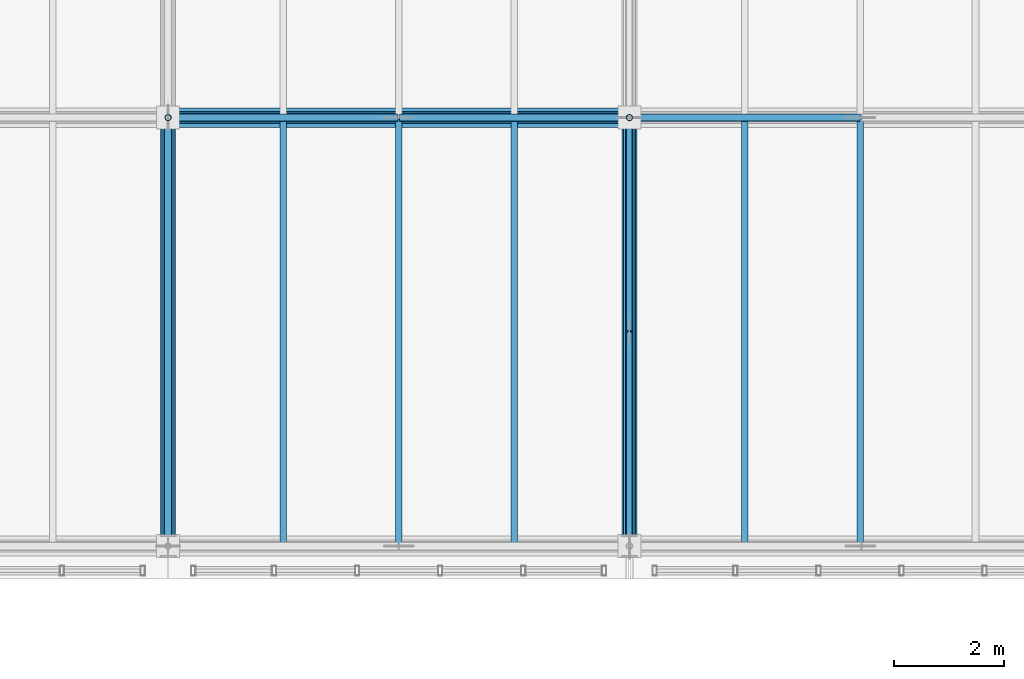
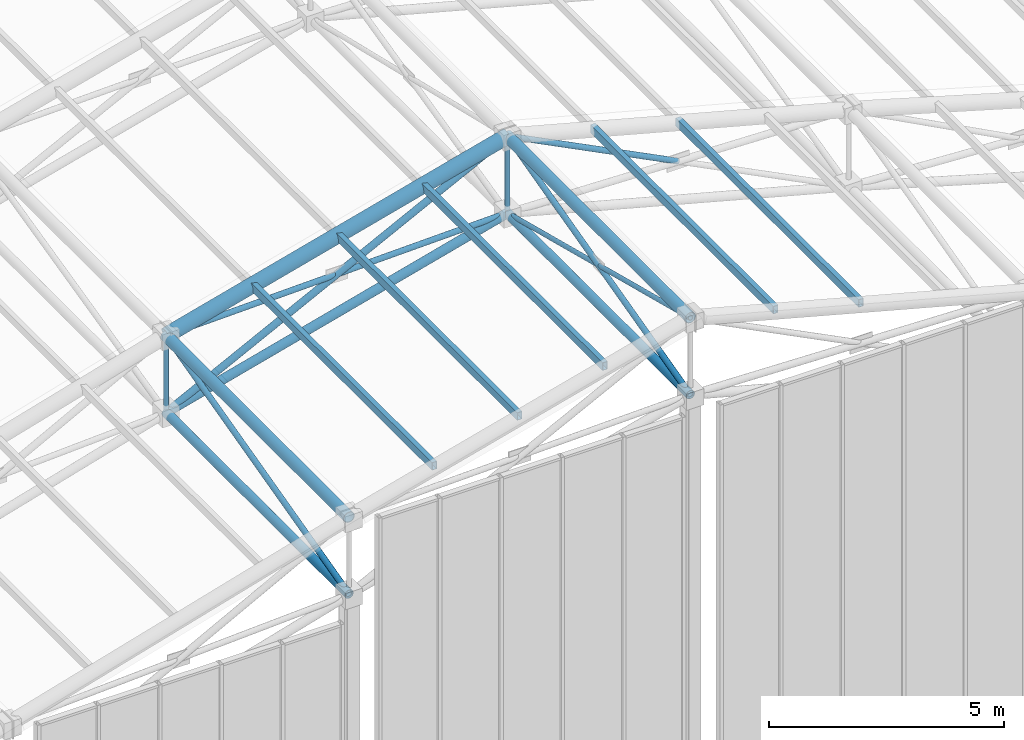
# One storey, part 45 of 144: 21 members.
"""IFC4 building model written with IfcOpenShell, lengths in metres."""

import ifcopenshell
import ifcopenshell.guid

model = None  # the IFC model being written
_history = None  # IfcOwnerHistory: only IFC2X3 demands one
_inside = {}  # id of a spatial element -> (the spatial element, [elements in it])
_under = {}  # id of a project, library or spatial element -> (it, [spatial elements below it])
_declared = {}  # id of a project -> (the project, [libraries it declares])
_typed = {}  # id of a type object -> (the type object, [elements of that type])
_made_of = {}  # id of a material, layer set ... -> (it, [elements and type objects made of it])


def new_model(schema):
    """Start an empty IFC model of exactly this schema.

    Asked for "IFC4X3", IfcOpenShell would pick the latest addendum, in which some entities
    have other attributes; the version numbers below select the first issue.
    IFC2X3 requires an IfcOwnerHistory on every rooted entity: one is made here for all.
    """
    global model, _history
    if schema == "IFC4X3":
        model = ifcopenshell.file(schema_version=(4, 3, 0, 0))
    else:
        model = ifcopenshell.file(schema=schema)
    _inside.clear()
    _under.clear()
    _declared.clear()
    _typed.clear()
    _made_of.clear()
    _history = None
    if model.schema == "IFC2X3":
        org = make("IfcOrganization", Name="unknown")
        user = make(
            "IfcPersonAndOrganization",
            ThePerson=make("IfcPerson", FamilyName="unknown"),
            TheOrganization=org,
        )
        app = make(
            "IfcApplication",
            ApplicationDeveloper=org,
            Version="unknown",
            ApplicationFullName="unknown",
            ApplicationIdentifier="unknown",
        )
        _history = make(
            "IfcOwnerHistory",
            OwningUser=user,
            OwningApplication=app,
            ChangeAction="ADDED",
            CreationDate=0,
        )
    return model


def make(cls, **values):
    """One entity of the class cls with the attributes given. An attribute that is None is left unset."""
    return model.create_entity(
        cls, **{name: value for name, value in values.items() if value is not None}
    )


def rooted(cls, **values):
    """An entity with a GlobalId (a new one), such as an element, a storey or a relation."""
    return make(cls, GlobalId=ifcopenshell.guid.new(), OwnerHistory=_history, **values)


def si_unit(unit_type, name, prefix=None):
    """IfcSIUnit, for example si_unit("LENGTHUNIT", "METRE", prefix="MILLI")."""
    return make("IfcSIUnit", UnitType=unit_type, Prefix=prefix, Name=name)


def assignment(units):
    """IfcUnitAssignment: the units of a project."""
    return None if units is None else make("IfcUnitAssignment", Units=units)


def point(xyz):
    """IfcCartesianPoint."""
    return None if xyz is None else make("IfcCartesianPoint", Coordinates=xyz)


def direction(xyz):
    """IfcDirection."""
    return None if xyz is None else make("IfcDirection", DirectionRatios=xyz)


def frame(location, z_axis=None, x_axis=None):
    """IfcAxis2Placement3D, a coordinate frame: its origin and axes. An axis left out is left unset."""
    return make(
        "IfcAxis2Placement3D",
        Location=point(location),
        Axis=direction(z_axis),
        RefDirection=direction(x_axis),
    )


def frame_2d(location, x_axis=None):
    """IfcAxis2Placement2D, a coordinate frame in the plane: its origin and x axis."""
    return make(
        "IfcAxis2Placement2D", Location=point(location), RefDirection=direction(x_axis)
    )


def origin():
    """The frame at (0, 0, 0) with its axes left unset."""
    return frame((0.0, 0.0, 0.0))


def origin_2d():
    """The frame at (0, 0) in the plane with its x axis left unset."""
    return frame_2d((0.0, 0.0))


def place(relative_to, where):
    """IfcLocalPlacement: puts the frame where relative to a parent placement (None: the world)."""
    return make(
        "IfcLocalPlacement", PlacementRelTo=relative_to, RelativePlacement=where
    )


def context(
    kind, dimensions, precision=None, world=None, true_north=None, identifier=None
):
    """IfcGeometricRepresentationContext, for example the 3D "Model" context."""
    return make(
        "IfcGeometricRepresentationContext",
        ContextIdentifier=identifier,
        ContextType=kind,
        CoordinateSpaceDimension=dimensions,
        Precision=precision,
        WorldCoordinateSystem=world,
        TrueNorth=true_north,
    )


def subcontext(parent, identifier, kind, view, scale=None):
    """IfcGeometricRepresentationSubContext, for example "Body" below "Model"."""
    return make(
        "IfcGeometricRepresentationSubContext",
        ContextIdentifier=identifier,
        ContextType=kind,
        ParentContext=parent,
        TargetScale=scale,
        TargetView=view,
    )


def project(units=None, contexts=None):
    """IfcProject with its units and contexts."""
    return rooted(
        "IfcProject",
        Name="project",
        RepresentationContexts=contexts,
        UnitsInContext=assignment(units),
    )


def spatial(cls, under=None, at=None, **own):
    """A site, building, storey or space (cls), placed at a placement, below another one or the project."""
    s = rooted(cls, ObjectPlacement=at, **own)
    if under is not None:
        _under.setdefault(under.id(), (under, []))[1].append(s)
    return s


def profile(cls, at=None, kind="AREA", **sizes):
    """A parametric profile (cls). Its sizes go by their IFC names, for example OverallWidth=200.0."""
    return make(cls, ProfileType=kind, Position=at, **sizes)


def hollow_rectangle(**sizes):
    """IfcRectangleHollowProfileDef."""
    return profile("IfcRectangleHollowProfileDef", **sizes)


def hollow_circle(**sizes):
    """IfcCircleHollowProfileDef."""
    return profile("IfcCircleHollowProfileDef", **sizes)


def extrude(swept, where, along, depth):
    """IfcExtrudedAreaSolid: the profile swept, set in the frame where, extruded along a direction by depth."""
    return make(
        "IfcExtrudedAreaSolid",
        SweptArea=swept,
        Position=where,
        ExtrudedDirection=direction(along),
        Depth=depth,
    )


def shape(context_of_items, identifier, shape_type, items):
    """IfcShapeRepresentation: the items that make up one representation, for example the "Body"."""
    return make(
        "IfcShapeRepresentation",
        ContextOfItems=context_of_items,
        RepresentationIdentifier=identifier,
        RepresentationType=shape_type,
        Items=items,
    )


def material(Name=None, Category=None):
    """IfcMaterial."""
    return make("IfcMaterial", Name=Name, Category=Category)


def material_profile(
    of_material, cross_section, Name=None, Category=None, Priority=None
):
    """IfcMaterialProfile: a cross section and its material."""
    return make(
        "IfcMaterialProfile",
        Name=Name,
        Material=of_material,
        Profile=cross_section,
        Priority=Priority,
        Category=Category,
    )


def profile_set(profiles, Name=None, composite=None):
    """IfcMaterialProfileSet."""
    return make(
        "IfcMaterialProfileSet",
        Name=Name,
        MaterialProfiles=profiles,
        CompositeProfile=composite,
    )


def made_of(thing, what):
    """Note that an element or type object is made of a material, layer set ...; save() writes the relation."""
    if what is not None:
        _made_of.setdefault(what.id(), (what, []))[1].append(thing)
    return thing


def type_object(cls, material=None, **own):
    """A type object (cls), such as IfcWallType, which elements share."""
    return made_of(rooted(cls, **own), material)


def element(
    cls,
    number,
    at=None,
    inside=None,
    cuts=None,
    type_object=None,
    material=None,
    context=None,
    identifier="Body",
    shape_type=None,
    held_by="IfcProductDefinitionShape",
    body=None,
    shapes=None,
    **own,
):
    """One element of the class cls, such as IfcWall. Its Tag is "e" and its number.

    at: its placement. inside: the storey or other place that contains it. cuts: it is an
    opening in that element (IfcRelVoidsElement). A single representation is given by context,
    identifier, shape_type and body (its items); several are given by shapes. held_by: the class
    of the entity that holds the representations. save() writes the other relations.
    """
    e = rooted(cls, Tag="e%d" % number, ObjectPlacement=at, **own)
    if body is not None:
        shapes = [shape(context, identifier, shape_type, body)]
    if shapes is not None:
        e.Representation = make(held_by, Representations=shapes)
    if inside is not None:
        _inside.setdefault(inside.id(), (inside, []))[1].append(e)
    if cuts is not None:
        rooted(
            "IfcRelVoidsElement", RelatingBuildingElement=cuts, RelatedOpeningElement=e
        )
    if type_object is not None:
        _typed.setdefault(type_object.id(), (type_object, []))[1].append(e)
    return made_of(e, material)


def aggregate(whole, parts):
    """IfcRelAggregates: a whole, such as a stair, and the parts it consists of."""
    return rooted("IfcRelAggregates", RelatingObject=whole, RelatedObjects=parts)


def save(model, path):
    """Write the relations noted so far, then the file.

    IfcRelAggregates (storeys below a building ...), IfcRelContainedInSpatialStructure (elements
    in a storey), IfcRelDefinesByType, IfcRelAssociatesMaterial and IfcRelDeclares: one each for
    every whole, place, type object, material and project.
    """
    for whole, parts in _under.values():
        aggregate(whole, parts)
    for where, things in _inside.values():
        rooted(
            "IfcRelContainedInSpatialStructure",
            RelatedElements=things,
            RelatingStructure=where,
        )
    for kind, things in _typed.values():
        rooted("IfcRelDefinesByType", RelatedObjects=things, RelatingType=kind)
    for what, things in _made_of.values():
        rooted("IfcRelAssociatesMaterial", RelatedObjects=things, RelatingMaterial=what)
    for by, libraries in _declared.values():
        rooted("IfcRelDeclares", RelatingContext=by, RelatedDefinitions=libraries)
    model.write(path)


model = new_model("IFC4")

# Units and contexts
model_context = context("Model", 3, precision=1e-05, world=origin(), true_north=direction((0.0, 1.0)))
body_context = subcontext(model_context, "Body", "Model", "MODEL_VIEW")
ifc_project = project(units=[si_unit("LENGTHUNIT", "METRE"), si_unit("AREAUNIT", "SQUARE_METRE"), si_unit("VOLUMEUNIT", "CUBIC_METRE"), si_unit("PLANEANGLEUNIT", "RADIAN"), si_unit("MASSUNIT", "GRAM", prefix="KILO")], contexts=[model_context])

# Site, building, storey
site_placement = place(None, origin())
site = spatial("IfcSite", under=ifc_project, at=site_placement, CompositionType="ELEMENT")
building_placement = place(site_placement, origin())
building = spatial("IfcBuilding", under=site, at=building_placement, Name="Zayran Congress Hotel", CompositionType="ELEMENT")
storey_placement = place(building_placement, frame((0.0, 0.0, 19.199951171875)))
storey = spatial("IfcBuildingStorey", under=building, at=storey_placement, Name="L04", CompositionType="ELEMENT", Elevation=19.199951171875)

# Members
ifc_material = material(Name="Steel S355", Category="steel")
ifc_material_profile_1 = material_profile(ifc_material, hollow_circle(Radius=0.177734375, WallThickness=0.01611328125, at=origin_2d()), Name="CHS 355.6x16")
ifc_profile_set_1 = profile_set([ifc_material_profile_1], Name="Steel S355")
member_type_1 = type_object("IfcMemberType", Name="TP-SF-TC1", PredefinedType="CHORD", material=ifc_profile_set_1)
member_1_placement = place(storey_placement, frame((42.0, 76.0, 12.35205078125), z_axis=(0.965947299715, 0.0, 0.258738891884), x_axis=(0.0, 1.0, 0.0)))
element("IfcMember", 1, at=member_1_placement, inside=storey, type_object=member_type_1, Name="Space Frame Top Chord X 227", PredefinedType="CHORD", context=body_context, shape_type="SweptSolid", body=[
    extrude(hollow_circle(Radius=0.177734375, WallThickness=0.01611328125, at=origin_2d()), origin(), (0.0, 0.0, 1.0), 8.696044921875),
])
ifc_material_profile_2 = material_profile(ifc_material, hollow_circle(Radius=0.136474609375, WallThickness=0.012451171875, at=origin_2d()), Name="CHS 273x12.5")
ifc_profile_set_2 = profile_set([ifc_material_profile_2], Name="Steel S355")
member_type_2 = type_object("IfcMemberType", Name="TP-SF-TC2", PredefinedType="CHORD", material=ifc_profile_set_2)
for number, where, z_axis, x_axis, name in (
    (2, (42.0, 68.199951171875, 12.35205078125), (0.0, 1.0, 0.0), (-1.0, 0.0, 0.0), "Space Frame Top Chord Y 223"),
    (3, (50.39990234375, 68.199951171875, 14.60205078125), (0.0, 1.0, 0.0), (-1.0, 0.0, 0.0), "Space Frame Top Chord Y 276"),
):
    element("IfcMember", number, at=place(storey_placement, frame(where, z_axis=z_axis, x_axis=x_axis)), inside=storey, type_object=member_type_2, Name=name, PredefinedType="CHORD", context=body_context, shape_type="SweptSolid", body=[
        extrude(hollow_circle(Radius=0.136474609375, WallThickness=0.012451171875, at=origin_2d()), origin(), (0.0, 0.0, 1.0), 7.800048828125),
    ])
ifc_material_profile_3 = material_profile(ifc_material, hollow_circle(Radius=0.109619140625, WallThickness=0.010009765625, at=origin_2d()), Name="CHS 219.1x10")
ifc_profile_set_3 = profile_set([ifc_material_profile_3], Name="Steel S355")
member_type_3 = type_object("IfcMemberType", Name="TP-SF-BC1", PredefinedType="CHORD", material=ifc_profile_set_3)
member_2_placement = place(storey_placement, frame((42.0, 68.199951171875, 10.35009765625), z_axis=(0.0, 1.0, 0.0), x_axis=(-1.0, 0.0, 0.0)))
element("IfcMember", 4, at=member_2_placement, inside=storey, type_object=member_type_3, Name="Space Frame Bottom Chord Y 224", PredefinedType="CHORD", context=body_context, shape_type="SweptSolid", body=[
    extrude(hollow_circle(Radius=0.109619140625, WallThickness=0.010009765625, at=origin_2d()), origin(), (0.0, 0.0, 1.0), 7.800048828125),
])
member_3_placement = place(storey_placement, frame((42.0, 76.0, 10.35009765625), z_axis=(0.965947299715, 0.0, 0.258738891884), x_axis=(0.0, 1.0, 0.0)))
element("IfcMember", 5, at=member_3_placement, inside=storey, type_object=member_type_3, Name="Space Frame Bottom Chord X 228", PredefinedType="CHORD", context=body_context, shape_type="SweptSolid", body=[
    extrude(hollow_circle(Radius=0.109619140625, WallThickness=0.010009765625, at=origin_2d()), origin(), (0.0, 0.0, 1.0), 8.696044921875),
])
member_4_placement = place(storey_placement, frame((50.39990234375, 68.199951171875, 12.60009765625), z_axis=(0.0, 1.0, 0.0), x_axis=(-1.0, 0.0, 0.0)))
element("IfcMember", 6, at=member_4_placement, inside=storey, type_object=member_type_3, Name="Space Frame Bottom Chord Y 277", PredefinedType="CHORD", context=body_context, shape_type="SweptSolid", body=[
    extrude(hollow_circle(Radius=0.109619140625, WallThickness=0.010009765625, at=origin_2d()), origin(), (0.0, 0.0, 1.0), 7.800048828125),
])
ifc_material_profile_4 = material_profile(ifc_material, hollow_circle(Radius=0.084228515625, WallThickness=0.008056640625, at=origin_2d()), Name="CHS 168.3x8")
ifc_profile_set_4 = profile_set([ifc_material_profile_4], Name="Steel S355")
member_type_4 = type_object("IfcMemberType", Name="TP-SF-DG1", PredefinedType="BRACE", material=ifc_profile_set_4)
member_5_placement = place(storey_placement, frame((42.0, 76.0, 10.35009765625), z_axis=(0.892206892975, 0.0, 0.451626903681), x_axis=(0.0, 1.0, 0.0)))
element("IfcMember", 7, at=member_5_placement, inside=storey, type_object=member_type_4, Name="Space Frame Web Diagonal X 229", PredefinedType="BRACE", context=body_context, shape_type="SweptSolid", body=[
    extrude(hollow_circle(Radius=0.084228515625, WallThickness=0.008056640625, at=origin_2d()), origin(), (0.0, 0.0, 1.0), 9.414794921875),
])
ifc_material_profile_5 = material_profile(ifc_material, hollow_circle(Radius=0.06982421875, WallThickness=0.00634765625, at=origin_2d()), Name="CHS 139.7x6.3")
ifc_profile_set_5 = profile_set([ifc_material_profile_5], Name="Steel S355")
member_type_5 = type_object("IfcMemberType", Name="TP-SF-DG2", PredefinedType="BRACE", material=ifc_profile_set_5)
member_6_placement = place(storey_placement, frame((42.0, 68.199951171875, 10.35009765625), z_axis=(0.0, 0.968605860949, 0.248601460446), x_axis=(-1.0, 0.0, 0.0)))
element("IfcMember", 8, at=member_6_placement, inside=storey, type_object=member_type_5, Name="Space Frame Web Diagonal Y 225", PredefinedType="BRACE", context=body_context, shape_type="SweptSolid", body=[
    extrude(hollow_circle(Radius=0.06982421875, WallThickness=0.00634765625, at=origin_2d()), origin(), (0.0, 0.0, 1.0), 8.052978515625),
])
member_7_placement = place(storey_placement, frame((42.0, 76.0, 12.35205078125), z_axis=(0.999564624123, 0.0, 0.029505291087), x_axis=(0.0, 1.0, 0.0)))
element("IfcMember", 9, at=member_7_placement, inside=storey, type_object=member_type_5, Name="Space Frame Counter Diagonal X Upper 230", PredefinedType="BRACE", context=body_context, shape_type="SweptSolid", body=[
    extrude(hollow_circle(Radius=0.06982421875, WallThickness=0.00634765625, at=origin_2d()), origin(), (0.0, 0.0, 1.0), 4.186767578125),
])
member_8_placement = place(storey_placement, frame((46.215087890625, 76.0, 12.4765625), z_axis=(0.999564573355, 0.0, 0.029507010916), x_axis=(0.0, 1.0, 0.0)))
element("IfcMember", 10, at=member_8_placement, inside=storey, type_object=member_type_5, Name="Space Frame Counter Diagonal X Lower 36", PredefinedType="BRACE", context=body_context, shape_type="SweptSolid", body=[
    extrude(hollow_circle(Radius=0.06982421875, WallThickness=0.00634765625, at=origin_2d()), origin(), (0.0, 0.0, 1.0), 4.1865234375),
])
member_9_placement = place(storey_placement, frame((50.39990234375, 68.199951171875, 12.60009765625), z_axis=(0.0, 0.968605860949, 0.248601460446), x_axis=(-1.0, 0.0, 0.0)))
element("IfcMember", 11, at=member_9_placement, inside=storey, type_object=member_type_5, Name="Space Frame Web Diagonal Y 278", PredefinedType="BRACE", context=body_context, shape_type="SweptSolid", body=[
    extrude(hollow_circle(Radius=0.06982421875, WallThickness=0.00634765625, at=origin_2d()), origin(), (0.0, 0.0, 1.0), 8.052978515625),
])
member_10_placement = place(storey_placement, frame((50.39990234375, 76.0, 14.60205078125), z_axis=(0.892220848392, 0.0, -0.451599333142), x_axis=(0.0, 1.0, 0.0)))
element("IfcMember", 12, at=member_10_placement, inside=storey, type_object=member_type_5, Name="Space Frame Counter Diagonal X Upper 284", PredefinedType="BRACE", context=body_context, shape_type="SweptSolid", body=[
    extrude(hollow_circle(Radius=0.06982421875, WallThickness=0.00634765625, at=origin_2d()), origin(), (0.0, 0.0, 1.0), 4.692626953125),
])
ifc_material_profile_6 = material_profile(ifc_material, hollow_circle(Radius=0.05712890625, WallThickness=0.00634765625, at=origin_2d()), Name="CHS 114.3x6.3")
ifc_profile_set_6 = profile_set([ifc_material_profile_6], Name="Steel S355")
member_type_6 = type_object("IfcMemberType", Name="TP-SF-DG3", PredefinedType="BRACE", material=ifc_profile_set_6)
member_11_placement = place(storey_placement, frame((42.0, 76.0, 10.35009765625), z_axis=(0.0, 0.0, 1.0), x_axis=(0.0, 1.0, 0.0)))
element("IfcMember", 13, at=member_11_placement, inside=storey, type_object=member_type_6, Name="Space Frame Web Strut 234", PredefinedType="BRACE", context=body_context, shape_type="SweptSolid", body=[
    extrude(hollow_circle(Radius=0.05712890625, WallThickness=0.00634765625, at=origin_2d()), origin(), (0.0, 0.0, 1.0), 2.001953125),
])
for number, where, z_axis, x_axis, name in (
    (14, (50.39990234375, 68.199951171875, 14.60205078125), (0.0, 0.968601886158, -0.248616946588), (-1.0, 0.0, 0.0), "Space Frame Bracing Diagonal Y Upper 279"),
    (15, (50.39990234375, 72.114501953125, 13.597412109375), (0.0, 0.968601886158, -0.248616946588), (-1.0, 0.0, 0.0), "Space Frame Bracing Diagonal Y Lower 43"),
):
    element("IfcMember", number, at=place(storey_placement, frame(where, z_axis=z_axis, x_axis=x_axis)), inside=storey, type_object=member_type_6, Name=name, PredefinedType="BRACE", context=body_context, shape_type="SweptSolid", body=[
        extrude(hollow_circle(Radius=0.05712890625, WallThickness=0.00634765625, at=origin_2d()), origin(), (0.0, 0.0, 1.0), 4.011474609375),
    ])
member_12_placement = place(storey_placement, frame((50.39990234375, 76.0, 12.60009765625), z_axis=(0.0, 0.0, 1.0), x_axis=(0.0, 1.0, 0.0)))
element("IfcMember", 16, at=member_12_placement, inside=storey, type_object=member_type_6, Name="Space Frame Web Strut 289", PredefinedType="BRACE", context=body_context, shape_type="SweptSolid", body=[
    extrude(hollow_circle(Radius=0.05712890625, WallThickness=0.00634765625, at=origin_2d()), origin(), (0.0, 0.0, 1.0), 2.001953125),
])
ifc_material_profile_7 = material_profile(ifc_material, hollow_rectangle(XDim=0.1201171875, YDim=0.199951171875, WallThickness=0.008056640625, at=origin_2d()), Name="RHS 200x120x8")
ifc_profile_set_7 = profile_set([ifc_material_profile_7], Name="Steel S355")
member_type_7 = type_object("IfcMemberType", Name="TP-PR-01", PredefinedType="PURLIN", material=ifc_profile_set_7)
for number, where, z_axis, x_axis, name in (
    (17, (44.10009765625, 68.199951171875, 12.95654296875), (0.0, 1.0, 0.0), (-1.0, 0.0, 0.0), "MEM-PR-V1-0073"),
    (18, (46.199951171875, 68.199951171875, 13.51904296875), (0.0, 1.0, 0.0), (-1.0, 0.0, 0.0), "MEM-PR-V1-0079"),
    (19, (48.300048828125, 68.199951171875, 14.08154296875), (0.0, 1.0, 0.0), (-1.0, 0.0, 0.0), "MEM-PR-V1-0085"),
    (20, (52.5, 68.199951171875, 14.08154296875), (0.0, 1.0, 0.0), (-1.0, 0.0, 0.0), "MEM-PR-V1-0091"),
    (21, (54.60009765625, 68.199951171875, 13.51904296875), (0.0, 1.0, 0.0), (-1.0, 0.0, 0.0), "MEM-PR-V1-0097"),
):
    element("IfcMember", number, at=place(storey_placement, frame(where, z_axis=z_axis, x_axis=x_axis)), inside=storey, type_object=member_type_7, Name=name, PredefinedType="PURLIN", context=body_context, shape_type="SweptSolid", body=[
        extrude(hollow_rectangle(XDim=0.1201171875, YDim=0.199951171875, WallThickness=0.008056640625, at=origin_2d()), origin(), (0.0, 0.0, 1.0), 7.800048828125),
    ])

save(model, "model.ifc")
